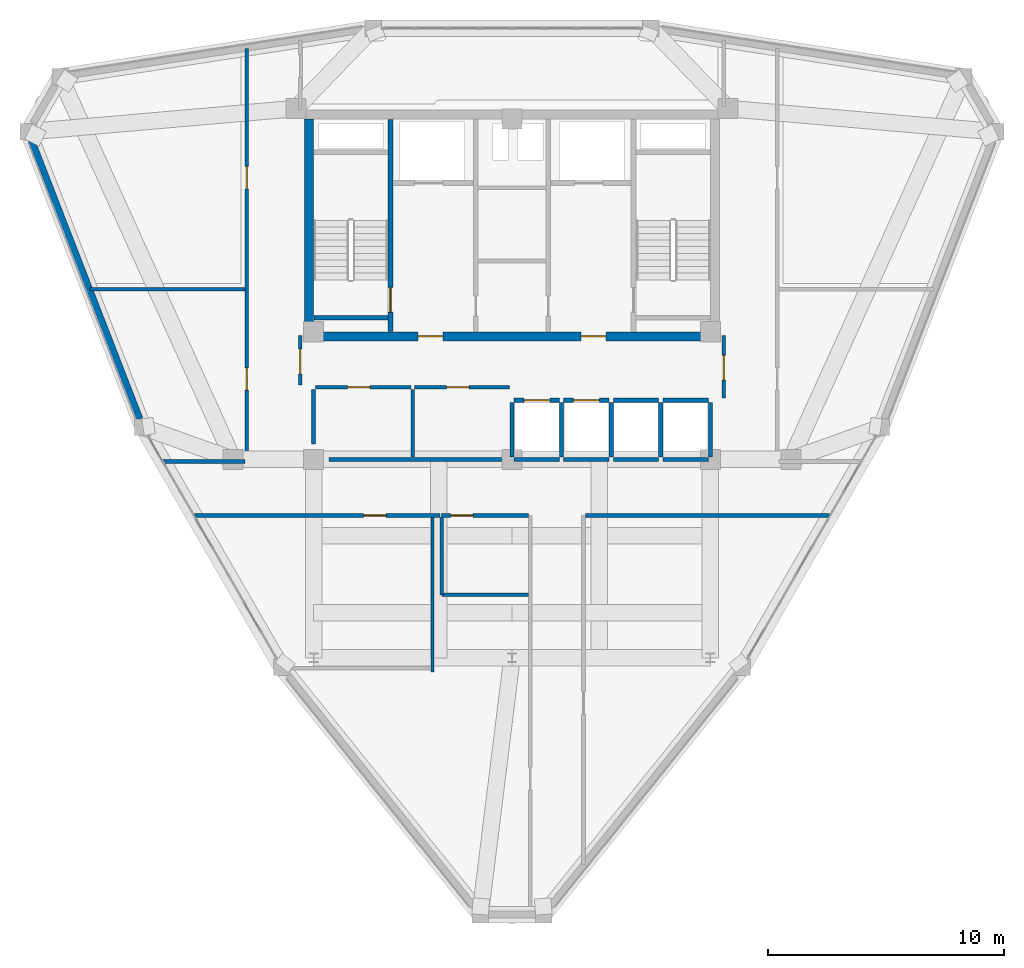
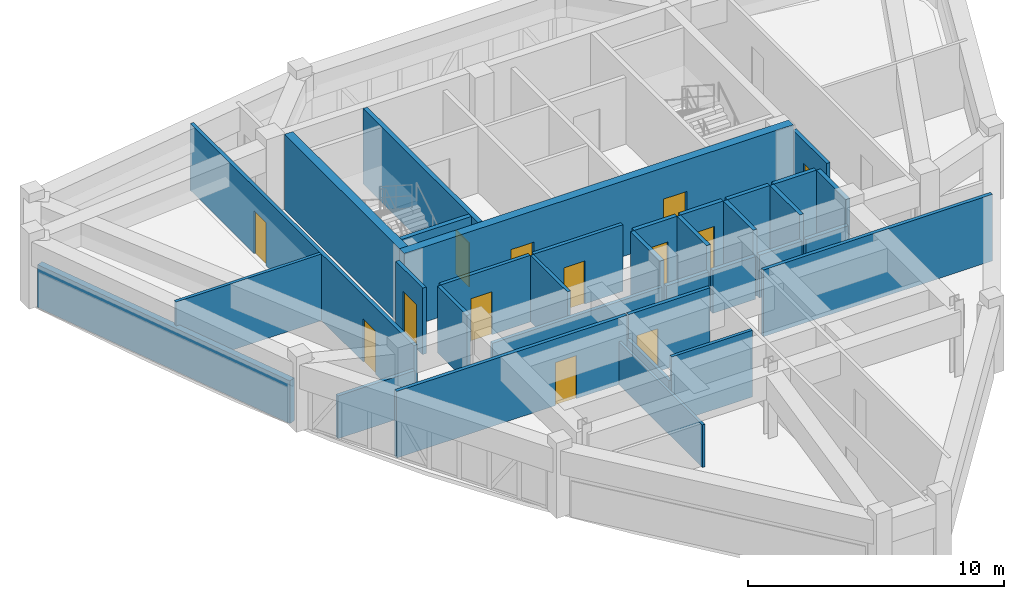
# One storey, part 11 of 14: 34 walls, 13 doors, 13 openings.
"""IFC4 building model written with IfcOpenShell, lengths in metres."""

from ifc_helpers import new_model, si_unit, derived_unit, direction, frame, frame_2d, origin, place, context, subcontext, project, spatial, rectangle, extrude, material, layer, layer_set, type_object, element, fill, save


model = new_model("IFC4")

# Units and contexts
model_context = context("Model", 3, precision=1e-05, world=origin(), true_north=direction((0.0, 1.0)))
body_context = subcontext(model_context, "Body", "Model", "MODEL_VIEW")
ifc_project = project(units=[si_unit("LENGTHUNIT", "METRE"), si_unit("AREAUNIT", "SQUARE_METRE"), si_unit("VOLUMEUNIT", "CUBIC_METRE"), si_unit("PLANEANGLEUNIT", "RADIAN"), si_unit("MASSUNIT", "GRAM", prefix="KILO"), derived_unit("THERMALTRANSMITTANCEUNIT", [(si_unit("POWERUNIT", "WATT"), 1), (si_unit("LENGTHUNIT", "METRE"), -2), (si_unit("THERMODYNAMICTEMPERATUREUNIT", "KELVIN"), -1)])], contexts=[model_context])

# Site, building, storey
site_placement = place(None, origin())
site = spatial("IfcSite", under=ifc_project, at=site_placement, CompositionType="ELEMENT")
building_placement = place(site_placement, origin())
building = spatial("IfcBuilding", under=site, at=building_placement, Name="Korsvarv Bourse and Concert Hall", CompositionType="ELEMENT")
storey_placement = place(building_placement, frame((0.0, 0.0, 271.800048828125)))
storey = spatial("IfcBuildingStorey", under=building, at=storey_placement, Name="L71", CompositionType="ELEMENT", Elevation=271.800048828125)

# Wall, openings, doors
ifc_material_1 = material(Name="Concrete C50/60", Category="concrete")
ifc_layer_1 = layer(ifc_material_1, 0.3798828125)
ifc_layer_set_1 = layer_set([ifc_layer_1], Name="Concrete C50/60")
wall_type_1 = type_object("IfcWallType", Name="WL-CORE-380", PredefinedType="SHEAR", material=ifc_layer_set_1)
wall_1_placement = place(storey_placement, frame((27.219970703125, 37.610107421875, 0.0), z_axis=(0.0, 0.0, 1.0), x_axis=(1.0, 0.0, 0.0)))
wall_1 = element("IfcWall", 1, at=wall_1_placement, inside=storey, type_object=wall_type_1, Name="L71 South Core Shear Wall", PredefinedType="SHEAR", context=body_context, shape_type="SweptSolid", body=[
    extrude(rectangle(XDim=17.56005859375, YDim=0.3798828125, at=frame_2d((8.780029296875, 0.0))), origin(), (0.0, 0.0, 1.0), 3.599853515625),
])
opening_1_placement = place(wall_1_placement, frame((4.804931640625, 0.0, 0.0)))
opening_1 = element("IfcOpeningElement", 2, at=opening_1_placement, cuts=wall_1, Name="Opening D-01", PredefinedType="OPENING", context=body_context, shape_type="SweptSolid", body=[
    extrude(rectangle(XDim=1.050048828125, YDim=2.10009765625, at=frame_2d((0.52490234375, 1.050048828125))), frame((0.0, 0.199951171875, 0.0), z_axis=(0.0, -1.0, 0.0), x_axis=(1.0, 0.0, 0.0)), (0.0, 0.0, 1.0), 0.39990234375),
])
opening_2_placement = place(wall_1_placement, frame((11.705078125, 0.0, 0.0)))
opening_2 = element("IfcOpeningElement", 3, at=opening_2_placement, cuts=wall_1, Name="Opening D-01", PredefinedType="OPENING", context=body_context, shape_type="SweptSolid", body=[
    extrude(rectangle(XDim=1.050048828125, YDim=2.10009765625, at=frame_2d((0.52490234375, 1.050048828125))), frame((0.0, 0.199951171875, 0.0), z_axis=(0.0, -1.0, 0.0), x_axis=(1.0, 0.0, 0.0)), (0.0, 0.0, 1.0), 0.39990234375),
])
ifc_material_2 = material(Name="Steel S355 fire door", Category="steel")
door_type_1 = type_object("IfcDoorType", Name="DR-FD60", OperationType="NOTDEFINED", PredefinedType="DOOR", material=ifc_material_2)
door_1_placement = place(opening_1_placement, frame((1.050048828125, 0.0, 0.0), z_axis=(0.0, 0.0, 1.0), x_axis=(-1.0, 0.0, 0.0)))
door_1 = element("IfcDoor", 4, at=door_1_placement, inside=storey, type_object=door_type_1, Name="L71 firefighting lobby fire door DR-L71-FFLW", OperationType="SINGLE_SWING_LEFT", OverallHeight=2.10009765625, OverallWidth=1.050048828125, PredefinedType="DOOR", context=body_context, shape_type="SweptSolid", body=[
    extrude(rectangle(XDim=1.050048828125, YDim=2.10009765625, at=frame_2d((0.52490234375, 1.050048828125))), frame((0.0, 0.02490234375, 0.0), z_axis=(0.0, -1.0, 0.0), x_axis=(1.0, 0.0, 0.0)), (0.0, 0.0, 1.0), 0.050048828125),
])
fill(opening_1, door_1)
door_2_placement = place(opening_2_placement, frame((1.050048828125, 0.0, 0.0), z_axis=(0.0, 0.0, 1.0), x_axis=(-1.0, 0.0, 0.0)))
door_2 = element("IfcDoor", 5, at=door_2_placement, inside=storey, type_object=door_type_1, Name="L71 firefighting lobby fire door DR-L71-FFLE", OperationType="SINGLE_SWING_RIGHT", OverallHeight=2.10009765625, OverallWidth=1.050048828125, PredefinedType="DOOR", context=body_context, shape_type="SweptSolid", body=[
    extrude(rectangle(XDim=1.050048828125, YDim=2.10009765625, at=frame_2d((0.52490234375, 1.050048828125))), frame((0.0, 0.02490234375, 0.0), z_axis=(0.0, -1.0, 0.0), x_axis=(1.0, 0.0, 0.0)), (0.0, 0.0, 1.0), 0.050048828125),
])
fill(opening_2, door_2)

# Wall
wall_2_placement = place(storey_placement, frame((27.409912109375, 37.800048828125, 0.0), z_axis=(0.0, 0.0, 1.0), x_axis=(0.0, 1.0, 0.0)))
element("IfcWall", 6, at=wall_2_placement, inside=storey, type_object=wall_type_1, Name="L71 West Core Shear Wall", PredefinedType="SHEAR", context=body_context, shape_type="SweptSolid", body=[
    extrude(rectangle(XDim=9.0, YDim=0.3798828125, at=frame_2d((4.5, 0.0))), origin(), (0.0, 0.0, 1.0), 3.599853515625),
])

# Wall, opening, door
wall_3_placement = place(storey_placement, frame((30.860107421875, 37.81005859375, 0.0), z_axis=(0.0, 0.0, 1.0), x_axis=(0.0, 1.0, 0.0)))
wall_3 = element("IfcWall", 7, at=wall_3_placement, inside=storey, type_object=wall_type_1, Name="L71 stair shaft structural wall W-L71-ST1-E", PredefinedType="SHEAR", context=body_context, shape_type="SweptSolid", body=[
    extrude(rectangle(XDim=8.97998046875, YDim=0.199951171875, at=frame_2d((4.489990234375, 0.0))), origin(), (0.0, 0.0, 1.0), 3.599853515625),
])
opening_3_placement = place(wall_3_placement, frame((0.820068359375, 0.0, 0.0)))
opening_3 = element("IfcOpeningElement", 8, at=opening_3_placement, cuts=wall_3, Name="Opening D-01", PredefinedType="OPENING", context=body_context, shape_type="SweptSolid", body=[
    extrude(rectangle(XDim=1.050048828125, YDim=2.10009765625, at=frame_2d((0.52490234375, 1.050048828125))), frame((0.0, 0.10986328125, 0.0), z_axis=(0.0, -1.0, 0.0), x_axis=(1.0, 0.0, 0.0)), (0.0, 0.0, 1.0), 0.219970703125),
])
door_3_placement = place(opening_3_placement, origin())
door_3 = element("IfcDoor", 9, at=door_3_placement, inside=storey, type_object=door_type_1, Name="L71 interior door DR-L71-ST1", OperationType="SINGLE_SWING_RIGHT", OverallHeight=2.10009765625, OverallWidth=1.050048828125, PredefinedType="DOOR", context=body_context, shape_type="SweptSolid", body=[
    extrude(rectangle(XDim=1.050048828125, YDim=2.10009765625, at=frame_2d((0.52490234375, 1.050048828125))), frame((0.0, 0.02490234375, 0.0), z_axis=(0.0, -1.0, 0.0), x_axis=(1.0, 0.0, 0.0)), (0.0, 0.0, 1.0), 0.050048828125),
])
fill(opening_3, door_3)

# Walls
wall_4_placement = place(storey_placement, frame((27.610107421875, 38.39990234375, 0.0), z_axis=(0.0, 0.0, 1.0), x_axis=(1.0, 0.0, 0.0)))
element("IfcWall", 10, at=wall_4_placement, inside=storey, type_object=wall_type_1, Name="L71 stair shaft structural wall W-L71-ST1-S", PredefinedType="SHEAR", context=body_context, shape_type="SweptSolid", body=[
    extrude(rectangle(XDim=3.139892578125, YDim=0.199951171875, at=frame_2d((1.56982421875, 0.0))), origin(), (0.0, 0.0, 1.0), 3.599853515625),
])
ifc_material_3 = material(Name="Precast concrete C45/55 with fluted terracotta pier", Category="concrete")
ifc_layer_2 = layer(ifc_material_3, 0.280029296875)
ifc_layer_set_2 = layer_set([ifc_layer_2], Name="Precast concrete C45/55 with fluted terracotta pier")
wall_type_2 = type_object("IfcWallType", Name="WL-EXT-TC2", PredefinedType="SOLIDWALL", material=ifc_layer_set_2)
wall_5_placement = place(storey_placement, frame((15.66357421875, 45.911376953125, 0.0), z_axis=(0.0, 0.0, 1.0), x_axis=(0.3618810561, -0.932224276253, 0.0)))
element("IfcWall", 11, at=wall_5_placement, inside=storey, type_object=wall_type_2, Name="L71 terracotta exterior wall EW-L71-B06", PredefinedType="SOLIDWALL", context=body_context, shape_type="SweptSolid", body=[
    extrude(rectangle(XDim=12.654296875, YDim=0.280029296875, at=frame_2d((6.3271484375, 0.0))), origin(), (0.0, 0.0, 1.0), 2.0400390625),
])
ifc_material_4 = material(Name="Double-stud fire-rated acoustic partition", Category="gypsum")
ifc_layer_3 = layer(ifc_material_4, 0.159912109375)
ifc_layer_set_3 = layer_set([ifc_layer_3], Name="Double-stud fire-rated acoustic partition")
wall_type_3 = type_object("IfcWallType", Name="WL-INT-EI60", PredefinedType="PARTITIONING", material=ifc_layer_set_3)
wall_6_placement = place(storey_placement, frame((28.25, 32.39990234375, 0.0), z_axis=(0.0, 0.0, 1.0), x_axis=(1.0, 0.0, 0.0)))
element("IfcWall", 12, at=wall_6_placement, inside=storey, type_object=wall_type_3, Name="L71 interior partition wall W-L71-FRD-S", PredefinedType="PARTITIONING", context=body_context, shape_type="SweptSolid", body=[
    extrude(rectangle(XDim=7.64990234375, YDim=0.159912109375, at=frame_2d((3.824951171875, 0.0))), origin(), (0.0, 0.0, 1.0), 2.0400390625),
])
wall_7_placement = place(storey_placement, frame((27.60009765625, 33.050048828125, 0.0), z_axis=(0.0, 0.0, 1.0), x_axis=(0.0, 1.0, 0.0)))
element("IfcWall", 13, at=wall_7_placement, inside=storey, type_object=wall_type_3, Name="L71 interior partition wall W-L71-FRD-W", PredefinedType="PARTITIONING", context=body_context, shape_type="SweptSolid", body=[
    extrude(rectangle(XDim=2.31005859375, YDim=0.159912109375, at=frame_2d((1.155029296875, 0.0))), origin(), (0.0, 0.0, 1.0), 3.179931640625),
])

# Wall, opening, door
wall_8_placement = place(storey_placement, frame((27.68994140625, 35.449951171875, 0.0), z_axis=(0.0, 0.0, 1.0), x_axis=(1.0, 0.0, 0.0)))
wall_8 = element("IfcWall", 14, at=wall_8_placement, inside=storey, type_object=wall_type_3, Name="L71 interior partition wall W-L71-FRD-N1", PredefinedType="PARTITIONING", context=body_context, shape_type="SweptSolid", body=[
    extrude(rectangle(XDim=4.030029296875, YDim=0.159912109375, at=frame_2d((2.01513671875, 0.0))), origin(), (0.0, 0.0, 1.0), 3.179931640625),
])
opening_4_placement = place(wall_8_placement, frame((1.35009765625, 0.0, 0.0)))
opening_4 = element("IfcOpeningElement", 15, at=opening_4_placement, cuts=wall_8, Name="Opening D-03", PredefinedType="OPENING", context=body_context, shape_type="SweptSolid", body=[
    extrude(rectangle(XDim=0.949951171875, YDim=2.050048828125, at=frame_2d((0.47509765625, 1.02490234375))), frame((0.0, 0.08984375, 0.0), z_axis=(0.0, -1.0, 0.0), x_axis=(1.0, 0.0, 0.0)), (0.0, 0.0, 1.0), 0.179931640625),
])
ifc_material_5 = material(Name="Nordic oak acoustic office door", Category="wood")
door_type_2 = type_object("IfcDoorType", Name="DR-INT-1", OperationType="NOTDEFINED", PredefinedType="DOOR", material=ifc_material_5)
door_4_placement = place(opening_4_placement, origin())
door_4 = element("IfcDoor", 16, at=door_4_placement, inside=storey, type_object=door_type_2, Name="L71 interior door DR-L71-FRDN1", OperationType="SINGLE_SWING_RIGHT", OverallHeight=2.050048828125, OverallWidth=0.949951171875, PredefinedType="DOOR", context=body_context, shape_type="SweptSolid", body=[
    extrude(rectangle(XDim=0.949951171875, YDim=2.050048828125, at=frame_2d((0.47509765625, 1.02490234375))), frame((0.0, 0.02490234375, 0.0), z_axis=(0.0, -1.0, 0.0), x_axis=(1.0, 0.0, 0.0)), (0.0, 0.0, 1.0), 0.050048828125),
])
fill(opening_4, door_4)

wall_9_placement = place(storey_placement, frame((31.8798828125, 35.449951171875, 0.0), z_axis=(0.0, 0.0, 1.0), x_axis=(1.0, 0.0, 0.0)))
wall_9 = element("IfcWall", 17, at=wall_9_placement, inside=storey, type_object=wall_type_3, Name="L71 interior partition wall W-L71-FRD-N2", PredefinedType="PARTITIONING", context=body_context, shape_type="SweptSolid", body=[
    extrude(rectangle(XDim=4.02001953125, YDim=0.159912109375, at=frame_2d((2.010009765625, 0.0))), origin(), (0.0, 0.0, 1.0), 3.179931640625),
])
opening_5_placement = place(wall_9_placement, frame((1.35009765625, 0.0, 0.0)))
opening_5 = element("IfcOpeningElement", 18, at=opening_5_placement, cuts=wall_9, Name="Opening D-03", PredefinedType="OPENING", context=body_context, shape_type="SweptSolid", body=[
    extrude(rectangle(XDim=0.949951171875, YDim=2.050048828125, at=frame_2d((0.47509765625, 1.02490234375))), frame((0.0, 0.08984375, 0.0), z_axis=(0.0, -1.0, 0.0), x_axis=(1.0, 0.0, 0.0)), (0.0, 0.0, 1.0), 0.179931640625),
])
door_5_placement = place(opening_5_placement, origin())
door_5 = element("IfcDoor", 19, at=door_5_placement, inside=storey, type_object=door_type_2, Name="L71 interior door DR-L71-FRDN2", OperationType="SINGLE_SWING_LEFT", OverallHeight=2.050048828125, OverallWidth=0.949951171875, PredefinedType="DOOR", context=body_context, shape_type="SweptSolid", body=[
    extrude(rectangle(XDim=0.949951171875, YDim=2.050048828125, at=frame_2d((0.47509765625, 1.02490234375))), frame((0.0, 0.02490234375, 0.0), z_axis=(0.0, -1.0, 0.0), x_axis=(1.0, 0.0, 0.0)), (0.0, 0.0, 1.0), 0.050048828125),
])
fill(opening_5, door_5)

wall_10_placement = place(storey_placement, frame((27.0400390625, 35.5400390625, 0.0), z_axis=(0.0, 0.0, 1.0), x_axis=(0.0, 1.0, 0.0)))
wall_10 = element("IfcWall", 20, at=wall_10_placement, inside=storey, type_object=wall_type_3, Name="L71 interior partition wall W-L71-LOB-WL", PredefinedType="PARTITIONING", context=body_context, shape_type="SweptSolid", body=[
    extrude(rectangle(XDim=2.10986328125, YDim=0.159912109375, at=frame_2d((1.054931640625, 0.0))), origin(), (0.0, 0.0, 1.0), 3.179931640625),
])
opening_6_placement = place(wall_10_placement, frame((0.47998046875, 0.0, 0.0)))
opening_6 = element("IfcOpeningElement", 21, at=opening_6_placement, cuts=wall_10, Name="Opening D-01", PredefinedType="OPENING", context=body_context, shape_type="SweptSolid", body=[
    extrude(rectangle(XDim=1.050048828125, YDim=2.10009765625, at=frame_2d((0.52490234375, 1.050048828125))), frame((0.0, 0.08984375, 0.0), z_axis=(0.0, -1.0, 0.0), x_axis=(1.0, 0.0, 0.0)), (0.0, 0.0, 1.0), 0.179931640625),
])
door_6_placement = place(opening_6_placement, frame((1.050048828125, 0.0, 0.0), z_axis=(0.0, 0.0, 1.0), x_axis=(-1.0, 0.0, 0.0)))
door_6 = element("IfcDoor", 22, at=door_6_placement, inside=storey, type_object=door_type_1, Name="L71 interior door DR-L71-LOBW", OperationType="SINGLE_SWING_RIGHT", OverallHeight=2.10009765625, OverallWidth=1.050048828125, PredefinedType="DOOR", context=body_context, shape_type="SweptSolid", body=[
    extrude(rectangle(XDim=1.050048828125, YDim=2.10009765625, at=frame_2d((0.52490234375, 1.050048828125))), frame((0.0, 0.02490234375, 0.0), z_axis=(0.0, -1.0, 0.0), x_axis=(1.0, 0.0, 0.0)), (0.0, 0.0, 1.0), 0.050048828125),
])
fill(opening_6, door_6)

wall_11_placement = place(storey_placement, frame((44.9599609375, 35.0, 0.0), z_axis=(0.0, 0.0, 1.0), x_axis=(0.0, 1.0, 0.0)))
wall_11 = element("IfcWall", 23, at=wall_11_placement, inside=storey, type_object=wall_type_3, Name="L71 interior partition wall W-L71-LOB-E", PredefinedType="PARTITIONING", context=body_context, shape_type="SweptSolid", body=[
    extrude(rectangle(XDim=2.64990234375, YDim=0.159912109375, at=frame_2d((1.324951171875, 0.0))), origin(), (0.0, 0.0, 1.0), 3.179931640625),
])
opening_7_placement = place(wall_11_placement, frame((0.75, 0.0, 0.0)))
opening_7 = element("IfcOpeningElement", 24, at=opening_7_placement, cuts=wall_11, Name="Opening D-01", PredefinedType="OPENING", context=body_context, shape_type="SweptSolid", body=[
    extrude(rectangle(XDim=1.050048828125, YDim=2.10009765625, at=frame_2d((0.52490234375, 1.050048828125))), frame((0.0, 0.08984375, 0.0), z_axis=(0.0, -1.0, 0.0), x_axis=(1.0, 0.0, 0.0)), (0.0, 0.0, 1.0), 0.179931640625),
])
door_7_placement = place(opening_7_placement, origin())
door_7 = element("IfcDoor", 25, at=door_7_placement, inside=storey, type_object=door_type_1, Name="L71 interior door DR-L71-LOBE", OperationType="SINGLE_SWING_LEFT", OverallHeight=2.10009765625, OverallWidth=1.050048828125, PredefinedType="DOOR", context=body_context, shape_type="SweptSolid", body=[
    extrude(rectangle(XDim=1.050048828125, YDim=2.10009765625, at=frame_2d((0.52490234375, 1.050048828125))), frame((0.0, 0.02490234375, 0.0), z_axis=(0.0, -1.0, 0.0), x_axis=(1.0, 0.0, 0.0)), (0.0, 0.0, 1.0), 0.050048828125),
])
fill(opening_7, door_7)

# Wall, openings, doors
wall_12_placement = place(storey_placement, frame((24.77490234375, 32.31005859375, 0.0), z_axis=(0.0, 0.0, 1.0), x_axis=(0.0, 1.0, 0.0)))
wall_12 = element("IfcWall", 26, at=wall_12_placement, inside=storey, type_object=wall_type_3, Name="L71 interior partition wall W-L71-TCOR-02", PredefinedType="PARTITIONING", context=body_context, shape_type="SweptSolid", body=[
    extrude(rectangle(XDim=17.4892578125, YDim=0.159912109375, at=frame_2d((8.74462890625, 0.0))), origin(), (0.0, 0.0, 1.0), 3.179931640625),
])
opening_8_placement = place(wall_12_placement, frame((3.017578125, 0.0, 0.0)))
opening_8 = element("IfcOpeningElement", 27, at=opening_8_placement, cuts=wall_12, Name="Opening D-02", PredefinedType="OPENING", context=body_context, shape_type="SweptSolid", body=[
    extrude(rectangle(XDim=0.949951171875, YDim=2.050048828125, at=frame_2d((0.47509765625, 1.02490234375))), frame((0.0, 0.08984375, 0.0), z_axis=(0.0, -1.0, 0.0), x_axis=(1.0, 0.0, 0.0)), (0.0, 0.0, 1.0), 0.179931640625),
])
opening_9_placement = place(wall_12_placement, frame((11.54052734375, 0.0, 0.0)))
opening_9 = element("IfcOpeningElement", 28, at=opening_9_placement, cuts=wall_12, Name="Opening D-02", PredefinedType="OPENING", context=body_context, shape_type="SweptSolid", body=[
    extrude(rectangle(XDim=0.949951171875, YDim=2.050048828125, at=frame_2d((0.47509765625, 1.02490234375))), frame((0.0, 0.08984375, 0.0), z_axis=(0.0, -1.0, 0.0), x_axis=(1.0, 0.0, 0.0)), (0.0, 0.0, 1.0), 0.179931640625),
])
ifc_material_6 = material(Name="Timber and steel acoustic fire door", Category="wood")
door_type_3 = type_object("IfcDoorType", Name="DR-FD30", OperationType="NOTDEFINED", PredefinedType="DOOR", material=ifc_material_6)
door_8_placement = place(opening_8_placement, origin())
door_8 = element("IfcDoor", 29, at=door_8_placement, inside=storey, type_object=door_type_3, Name="L71 interior door DR-L71-TCOR-FO57", OperationType="SINGLE_SWING_RIGHT", OverallHeight=2.050048828125, OverallWidth=0.949951171875, PredefinedType="DOOR", context=body_context, shape_type="SweptSolid", body=[
    extrude(rectangle(XDim=0.949951171875, YDim=2.050048828125, at=frame_2d((0.47509765625, 1.02490234375))), frame((0.0, 0.02490234375, 0.0), z_axis=(0.0, -1.0, 0.0), x_axis=(1.0, 0.0, 0.0)), (0.0, 0.0, 1.0), 0.050048828125),
])
fill(opening_8, door_8)
door_9_placement = place(opening_9_placement, origin())
door_9 = element("IfcDoor", 30, at=door_9_placement, inside=storey, type_object=door_type_3, Name="L71 interior door DR-L71-TCOR-FO68", OperationType="SINGLE_SWING_LEFT", OverallHeight=2.050048828125, OverallWidth=0.949951171875, PredefinedType="DOOR", context=body_context, shape_type="SweptSolid", body=[
    extrude(rectangle(XDim=0.949951171875, YDim=2.050048828125, at=frame_2d((0.47509765625, 1.02490234375))), frame((0.0, 0.02490234375, 0.0), z_axis=(0.0, -1.0, 0.0), x_axis=(1.0, 0.0, 0.0)), (0.0, 0.0, 1.0), 0.050048828125),
])
fill(opening_9, door_9)

# Wall
wall_13_placement = place(storey_placement, frame((39.10693359375, 30.02490234375, 0.0), z_axis=(0.0, 0.0, 1.0), x_axis=(1.0, 0.0, 0.0)))
element("IfcWall", 31, at=wall_13_placement, inside=storey, type_object=wall_type_3, Name="L71 interior partition wall W-L71-TCOR-05", PredefinedType="PARTITIONING", context=body_context, shape_type="SweptSolid", body=[
    extrude(rectangle(XDim=10.3359375, YDim=0.159912109375, at=frame_2d((5.16796875, 0.0))), origin(), (0.0, 0.0, 1.0), 3.179931640625),
])

# Wall, opening, door
wall_14_placement = place(storey_placement, frame((22.55712890625, 30.02490234375, 0.0), z_axis=(0.0, 0.0, 1.0), x_axis=(1.0, 0.0, 0.0)))
wall_14 = element("IfcWall", 32, at=wall_14_placement, inside=storey, type_object=wall_type_3, Name="L71 interior partition wall W-L71-TCOR-06", PredefinedType="PARTITIONING", context=body_context, shape_type="SweptSolid", body=[
    extrude(rectangle(XDim=10.395751953125, YDim=0.159912109375, at=frame_2d((5.19775390625, 0.0))), origin(), (0.0, 0.0, 1.0), 3.179931640625),
])
opening_10_placement = place(wall_14_placement, frame((7.16552734375, 0.0, 0.0)))
opening_10 = element("IfcOpeningElement", 33, at=opening_10_placement, cuts=wall_14, Name="Opening D-02", PredefinedType="OPENING", context=body_context, shape_type="SweptSolid", body=[
    extrude(rectangle(XDim=0.949951171875, YDim=2.050048828125, at=frame_2d((0.47509765625, 1.02490234375))), frame((0.0, 0.08984375, 0.0), z_axis=(0.0, -1.0, 0.0), x_axis=(1.0, 0.0, 0.0)), (0.0, 0.0, 1.0), 0.179931640625),
])
door_10_placement = place(opening_10_placement, origin())
door_10 = element("IfcDoor", 34, at=door_10_placement, inside=storey, type_object=door_type_3, Name="L71 interior door DR-L71-TCOR-FO16", OperationType="SINGLE_SWING_RIGHT", OverallHeight=2.050048828125, OverallWidth=0.949951171875, PredefinedType="DOOR", context=body_context, shape_type="SweptSolid", body=[
    extrude(rectangle(XDim=0.949951171875, YDim=2.050048828125, at=frame_2d((0.47509765625, 1.02490234375))), frame((0.0, 0.02490234375, 0.0), z_axis=(0.0, -1.0, 0.0), x_axis=(1.0, 0.0, 0.0)), (0.0, 0.0, 1.0), 0.050048828125),
])
fill(opening_10, door_10)

wall_15_placement = place(storey_placement, frame((33.02001953125, 30.02490234375, 0.0), z_axis=(0.0, 0.0, 1.0), x_axis=(1.0, 0.0, 0.0)))
wall_15 = element("IfcWall", 35, at=wall_15_placement, inside=storey, type_object=wall_type_3, Name="L71 interior partition wall W-L71-TCOR-07", PredefinedType="PARTITIONING", context=body_context, shape_type="SweptSolid", body=[
    extrude(rectangle(XDim=3.673095703125, YDim=0.159912109375, at=frame_2d((1.83642578125, 0.0))), origin(), (0.0, 0.0, 1.0), 3.179931640625),
])
opening_11_placement = place(wall_15_placement, frame((0.3798828125, 0.0, 0.0)))
opening_11 = element("IfcOpeningElement", 36, at=opening_11_placement, cuts=wall_15, Name="Opening D-02", PredefinedType="OPENING", context=body_context, shape_type="SweptSolid", body=[
    extrude(rectangle(XDim=0.949951171875, YDim=2.050048828125, at=frame_2d((0.47509765625, 1.02490234375))), frame((0.0, 0.08984375, 0.0), z_axis=(0.0, -1.0, 0.0), x_axis=(1.0, 0.0, 0.0)), (0.0, 0.0, 1.0), 0.179931640625),
])
door_11_placement = place(opening_11_placement, origin())
door_11 = element("IfcDoor", 37, at=door_11_placement, inside=storey, type_object=door_type_3, Name="L71 interior door DR-L71-TCOR-RWC", OperationType="SINGLE_SWING_LEFT", OverallHeight=2.050048828125, OverallWidth=0.949951171875, PredefinedType="DOOR", context=body_context, shape_type="SweptSolid", body=[
    extrude(rectangle(XDim=0.949951171875, YDim=2.050048828125, at=frame_2d((0.47509765625, 1.02490234375))), frame((0.0, 0.02490234375, 0.0), z_axis=(0.0, -1.0, 0.0), x_axis=(1.0, 0.0, 0.0)), (0.0, 0.0, 1.0), 0.050048828125),
])
fill(opening_11, door_11)

# Wall
wall_16_placement = place(storey_placement, frame((21.235107421875, 32.31494140625, 0.0), z_axis=(0.0, 0.0, 1.0), x_axis=(1.0, 0.0, 0.0)))
element("IfcWall", 38, at=wall_16_placement, inside=storey, type_object=wall_type_3, Name="L71 interior partition wall W-L71-TCOR-08", PredefinedType="PARTITIONING", context=body_context, shape_type="SweptSolid", body=[
    extrude(rectangle(XDim=3.4580078125, YDim=0.159912109375, at=frame_2d((1.72900390625, 0.0))), origin(), (0.0, 0.0, 1.0), 2.0400390625),
])

# Wall, opening, door
ifc_material_7 = material(Name="Gypsum-clad autoclaved concrete shaft wall C30/37", Category="concrete")
ifc_layer_4 = layer(ifc_material_7, 0.179931640625)
ifc_layer_set_4 = layer_set([ifc_layer_4], Name="Gypsum-clad autoclaved concrete shaft wall C30/37")
wall_type_4 = type_object("IfcWallType", Name="WL-INT-EI90", PredefinedType="PARTITIONING", material=ifc_layer_set_4)
wall_17_placement = place(storey_placement, frame((36.090087890625, 34.89990234375, 0.0), z_axis=(0.0, 0.0, 1.0), x_axis=(1.0, 0.0, 0.0)))
wall_17 = element("IfcWall", 39, at=wall_17_placement, inside=storey, type_object=wall_type_4, Name="L71 interior partition wall W-L71-SHFN-PH1", PredefinedType="PARTITIONING", context=body_context, shape_type="SweptSolid", body=[
    extrude(rectangle(XDim=1.919921875, YDim=0.179931640625, at=frame_2d((0.9599609375, 0.0))), origin(), (0.0, 0.0, 1.0), 3.179931640625),
])
opening_12_placement = place(wall_17_placement, frame((0.409912109375, 0.0, 0.0)))
opening_12 = element("IfcOpeningElement", 40, at=opening_12_placement, cuts=wall_17, Name="Opening LD-2", PredefinedType="OPENING", context=body_context, shape_type="SweptSolid", body=[
    extrude(rectangle(XDim=1.10009765625, YDim=2.10009765625, at=frame_2d((0.550048828125, 1.050048828125))), frame((0.0, 0.10009765625, 0.0), z_axis=(0.0, -1.0, 0.0), x_axis=(1.0, 0.0, 0.0)), (0.0, 0.0, 1.0), 0.199951171875),
])
ifc_material_8 = material(Name="Brushed stainless Steel S355 lift landing door", Category="steel")
door_type_4 = type_object("IfcDoorType", Name="DR-LIFT-P", OperationType="DOUBLE_DOOR_SLIDING", PredefinedType="DOOR", material=ifc_material_8)
door_12_placement = place(opening_12_placement, origin())
door_12 = element("IfcDoor", 41, at=door_12_placement, inside=storey, type_object=door_type_4, Name="L71 lift sliding landing door LD-L71-PH1", OperationType="DOUBLE_DOOR_SLIDING", OverallHeight=2.10009765625, OverallWidth=1.10009765625, PredefinedType="DOOR", context=body_context, shape_type="SweptSolid", body=[
    extrude(rectangle(XDim=1.10009765625, YDim=2.10009765625, at=frame_2d((0.550048828125, 1.050048828125))), frame((0.0, 0.02490234375, 0.0), z_axis=(0.0, -1.0, 0.0), x_axis=(1.0, 0.0, 0.0)), (0.0, 0.0, 1.0), 0.050048828125),
])
fill(opening_12, door_12)

# Walls
wall_18_placement = place(storey_placement, frame((36.090087890625, 32.39990234375, 0.0), z_axis=(0.0, 0.0, 1.0), x_axis=(1.0, 0.0, 0.0)))
element("IfcWall", 42, at=wall_18_placement, inside=storey, type_object=wall_type_4, Name="L71 interior partition wall W-L71-SHFS-PH1", PredefinedType="PARTITIONING", context=body_context, shape_type="SweptSolid", body=[
    extrude(rectangle(XDim=1.919921875, YDim=0.179931640625, at=frame_2d((0.9599609375, 0.0))), origin(), (0.0, 0.0, 1.0), 2.0400390625),
])
wall_19_placement = place(storey_placement, frame((36.0, 32.489990234375, 0.0), z_axis=(0.0, 0.0, 1.0), x_axis=(0.0, 1.0, 0.0)))
element("IfcWall", 43, at=wall_19_placement, inside=storey, type_object=wall_type_4, Name="L71 interior partition wall W-L71-SHFW-PH1", PredefinedType="PARTITIONING", context=body_context, shape_type="SweptSolid", body=[
    extrude(rectangle(XDim=2.320068359375, YDim=0.179931640625, at=frame_2d((1.16015625, 0.0))), origin(), (0.0, 0.0, 1.0), 3.179931640625),
])

# Wall, opening, door
wall_20_placement = place(storey_placement, frame((38.18994140625, 34.89990234375, 0.0), z_axis=(0.0, 0.0, 1.0), x_axis=(1.0, 0.0, 0.0)))
wall_20 = element("IfcWall", 44, at=wall_20_placement, inside=storey, type_object=wall_type_4, Name="L71 interior partition wall W-L71-SHFN-PH2", PredefinedType="PARTITIONING", context=body_context, shape_type="SweptSolid", body=[
    extrude(rectangle(XDim=1.920166015625, YDim=0.179931640625, at=frame_2d((0.9599609375, 0.0))), origin(), (0.0, 0.0, 1.0), 3.179931640625),
])
opening_13_placement = place(wall_20_placement, frame((0.409912109375, 0.0, 0.0)))
opening_13 = element("IfcOpeningElement", 45, at=opening_13_placement, cuts=wall_20, Name="Opening LD-2", PredefinedType="OPENING", context=body_context, shape_type="SweptSolid", body=[
    extrude(rectangle(XDim=1.10009765625, YDim=2.10009765625, at=frame_2d((0.550048828125, 1.050048828125))), frame((0.0, 0.10009765625, 0.0), z_axis=(0.0, -1.0, 0.0), x_axis=(1.0, 0.0, 0.0)), (0.0, 0.0, 1.0), 0.199951171875),
])
door_13_placement = place(opening_13_placement, origin())
door_13 = element("IfcDoor", 46, at=door_13_placement, inside=storey, type_object=door_type_4, Name="L71 lift sliding landing door LD-L71-PH2", OperationType="DOUBLE_DOOR_SLIDING", OverallHeight=2.10009765625, OverallWidth=1.10009765625, PredefinedType="DOOR", context=body_context, shape_type="SweptSolid", body=[
    extrude(rectangle(XDim=1.10009765625, YDim=2.10009765625, at=frame_2d((0.550048828125, 1.050048828125))), frame((0.0, 0.02490234375, 0.0), z_axis=(0.0, -1.0, 0.0), x_axis=(1.0, 0.0, 0.0)), (0.0, 0.0, 1.0), 0.050048828125),
])
fill(opening_13, door_13)

# Walls
wall_21_placement = place(storey_placement, frame((38.18994140625, 32.39990234375, 0.0), z_axis=(0.0, 0.0, 1.0), x_axis=(1.0, 0.0, 0.0)))
element("IfcWall", 47, at=wall_21_placement, inside=storey, type_object=wall_type_4, Name="L71 interior partition wall W-L71-SHFS-PH2", PredefinedType="PARTITIONING", context=body_context, shape_type="SweptSolid", body=[
    extrude(rectangle(XDim=1.920166015625, YDim=0.179931640625, at=frame_2d((0.9599609375, 0.0))), origin(), (0.0, 0.0, 1.0), 2.0400390625),
])
wall_22_placement = place(storey_placement, frame((38.10009765625, 32.489990234375, 0.0), z_axis=(0.0, 0.0, 1.0), x_axis=(0.0, 1.0, 0.0)))
element("IfcWall", 48, at=wall_22_placement, inside=storey, type_object=wall_type_4, Name="L71 interior partition wall W-L71-SHFW-PH2", PredefinedType="PARTITIONING", context=body_context, shape_type="SweptSolid", body=[
    extrude(rectangle(XDim=2.320068359375, YDim=0.179931640625, at=frame_2d((1.16015625, 0.0))), origin(), (0.0, 0.0, 1.0), 3.179931640625),
])
wall_23_placement = place(storey_placement, frame((40.2900390625, 34.89990234375, 0.0), z_axis=(0.0, 0.0, 1.0), x_axis=(1.0, 0.0, 0.0)))
element("IfcWall", 49, at=wall_23_placement, inside=storey, type_object=wall_type_4, Name="L71 interior partition wall W-L71-SHFN-PO1", PredefinedType="PARTITIONING", context=body_context, shape_type="SweptSolid", body=[
    extrude(rectangle(XDim=1.919921875, YDim=0.179931640625, at=frame_2d((0.9599609375, 0.0))), origin(), (0.0, 0.0, 1.0), 3.179931640625),
])
wall_24_placement = place(storey_placement, frame((40.2900390625, 32.39990234375, 0.0), z_axis=(0.0, 0.0, 1.0), x_axis=(1.0, 0.0, 0.0)))
element("IfcWall", 50, at=wall_24_placement, inside=storey, type_object=wall_type_4, Name="L71 interior partition wall W-L71-SHFS-PO1", PredefinedType="PARTITIONING", context=body_context, shape_type="SweptSolid", body=[
    extrude(rectangle(XDim=1.919921875, YDim=0.179931640625, at=frame_2d((0.9599609375, 0.0))), origin(), (0.0, 0.0, 1.0), 2.0400390625),
])
wall_25_placement = place(storey_placement, frame((40.199951171875, 32.489990234375, 0.0), z_axis=(0.0, 0.0, 1.0), x_axis=(0.0, 1.0, 0.0)))
element("IfcWall", 51, at=wall_25_placement, inside=storey, type_object=wall_type_4, Name="L71 interior partition wall W-L71-SHFW-PO1", PredefinedType="PARTITIONING", context=body_context, shape_type="SweptSolid", body=[
    extrude(rectangle(XDim=2.320068359375, YDim=0.179931640625, at=frame_2d((1.16015625, 0.0))), origin(), (0.0, 0.0, 1.0), 3.179931640625),
])
wall_26_placement = place(storey_placement, frame((42.389892578125, 34.89990234375, 0.0), z_axis=(0.0, 0.0, 1.0), x_axis=(1.0, 0.0, 0.0)))
element("IfcWall", 52, at=wall_26_placement, inside=storey, type_object=wall_type_4, Name="L71 interior partition wall W-L71-SHFN-PO2", PredefinedType="PARTITIONING", context=body_context, shape_type="SweptSolid", body=[
    extrude(rectangle(XDim=1.920166015625, YDim=0.179931640625, at=frame_2d((0.9599609375, 0.0))), origin(), (0.0, 0.0, 1.0), 3.179931640625),
])
wall_27_placement = place(storey_placement, frame((42.389892578125, 32.39990234375, 0.0), z_axis=(0.0, 0.0, 1.0), x_axis=(1.0, 0.0, 0.0)))
element("IfcWall", 53, at=wall_27_placement, inside=storey, type_object=wall_type_4, Name="L71 interior partition wall W-L71-SHFS-PO2", PredefinedType="PARTITIONING", context=body_context, shape_type="SweptSolid", body=[
    extrude(rectangle(XDim=1.920166015625, YDim=0.179931640625, at=frame_2d((0.9599609375, 0.0))), origin(), (0.0, 0.0, 1.0), 2.0400390625),
])
for number, where, z_axis, x_axis, name in (
    (54, (42.300048828125, 32.489990234375, 0.0), (0.0, 0.0, 1.0), (0.0, 1.0, 0.0), "L71 interior partition wall W-L71-SHFW-PO2"),
    (55, (44.39990234375, 32.489990234375, 0.0), (0.0, 0.0, 1.0), (0.0, 1.0, 0.0), "L71 interior partition wall W-L71-SHFE-END"),
):
    element("IfcWall", number, at=place(storey_placement, frame(where, z_axis=z_axis, x_axis=x_axis)), inside=storey, type_object=wall_type_4, Name=name, PredefinedType="PARTITIONING", context=body_context, shape_type="SweptSolid", body=[
        extrude(rectangle(XDim=2.320068359375, YDim=0.179931640625, at=frame_2d((1.16015625, 0.0))), origin(), (0.0, 0.0, 1.0), 3.179931640625),
    ])
ifc_material_9 = material(Name="Demountable acoustic glass and aluminium dealing partition", Category="aluminium")
ifc_layer_5 = layer(ifc_material_9, 0.110107421875)
ifc_layer_set_5 = layer_set([ifc_layer_5], Name="Demountable acoustic glass and aluminium dealing partition")
wall_type_5 = type_object("IfcWallType", Name="WL-INT-MOV", PredefinedType="MOVABLE", material=ifc_layer_set_5)
wall_28_placement = place(storey_placement, frame((32.635009765625, 23.409912109375, 0.0), z_axis=(0.0, 0.0, 1.0), x_axis=(0.0, 1.0, 0.0)))
element("IfcWall", 56, at=wall_28_placement, inside=storey, type_object=wall_type_5, Name="L71 interior partition wall W-L71-TCOR-14", PredefinedType="MOVABLE", context=body_context, shape_type="SweptSolid", body=[
    extrude(rectangle(XDim=6.533203125, YDim=0.110107421875, at=frame_2d((3.2666015625, 0.0))), origin(), (0.0, 0.0, 1.0), 2.0400390625),
])
ifc_material_10 = material(Name="Insulated steel-stud office acoustic partition", Category="gypsum")
ifc_layer_6 = layer(ifc_material_10, 0.139892578125)
ifc_layer_set_6 = layer_set([ifc_layer_6], Name="Insulated steel-stud office acoustic partition")
wall_type_6 = type_object("IfcWallType", Name="WL-INT-P1", PredefinedType="PARTITIONING", material=ifc_layer_set_6)
wall_29_placement = place(storey_placement, frame((31.800048828125, 32.489990234375, 0.0), z_axis=(0.0, 0.0, 1.0), x_axis=(0.0, 1.0, 0.0)))
element("IfcWall", 57, at=wall_29_placement, inside=storey, type_object=wall_type_6, Name="L71 interior partition wall W-L71-FRD-V", PredefinedType="PARTITIONING", context=body_context, shape_type="SweptSolid", body=[
    extrude(rectangle(XDim=2.8701171875, YDim=0.139892578125, at=frame_2d((1.43505859375, 0.0))), origin(), (0.0, 0.0, 1.0), 3.179931640625),
])
wall_30_placement = place(storey_placement, frame((18.131591796875, 39.60498046875, 0.0), z_axis=(0.0, 0.0, 1.0), x_axis=(1.0, 0.0, 0.0)))
element("IfcWall", 58, at=wall_30_placement, inside=storey, type_object=wall_type_6, Name="L71 interior partition wall W-L71-TCOR-13", PredefinedType="PARTITIONING", context=body_context, shape_type="SweptSolid", body=[
    extrude(rectangle(XDim=6.5615234375, YDim=0.139892578125, at=frame_2d((3.28076171875, 0.0))), origin(), (0.0, 0.0, 1.0), 3.179931640625),
])
wall_31_placement = place(storey_placement, frame((33.0400390625, 26.675048828125, 0.0), z_axis=(0.0, 0.0, 1.0), x_axis=(1.0, 0.0, 0.0)))
element("IfcWall", 59, at=wall_31_placement, inside=storey, type_object=wall_type_6, Name="L71 interior partition wall W-L71-TCOR-16", PredefinedType="PARTITIONING", context=body_context, shape_type="SweptSolid", body=[
    extrude(rectangle(XDim=3.653076171875, YDim=0.139892578125, at=frame_2d((1.82666015625, 0.0))), origin(), (0.0, 0.0, 1.0), 3.179931640625),
])
wall_32_placement = place(storey_placement, frame((33.02490234375, 26.669921875, 0.0), z_axis=(0.0, 0.0, 1.0), x_axis=(0.0, 1.0, 0.0)))
element("IfcWall", 60, at=wall_32_placement, inside=storey, type_object=wall_type_6, Name="L71 interior partition wall W-L71-TCOR-17", PredefinedType="PARTITIONING", context=body_context, shape_type="SweptSolid", body=[
    extrude(rectangle(XDim=3.273193359375, YDim=0.139892578125, at=frame_2d((1.63671875, 0.0))), origin(), (0.0, 0.0, 1.0), 2.0400390625),
])

save(model, "model.ifc")
